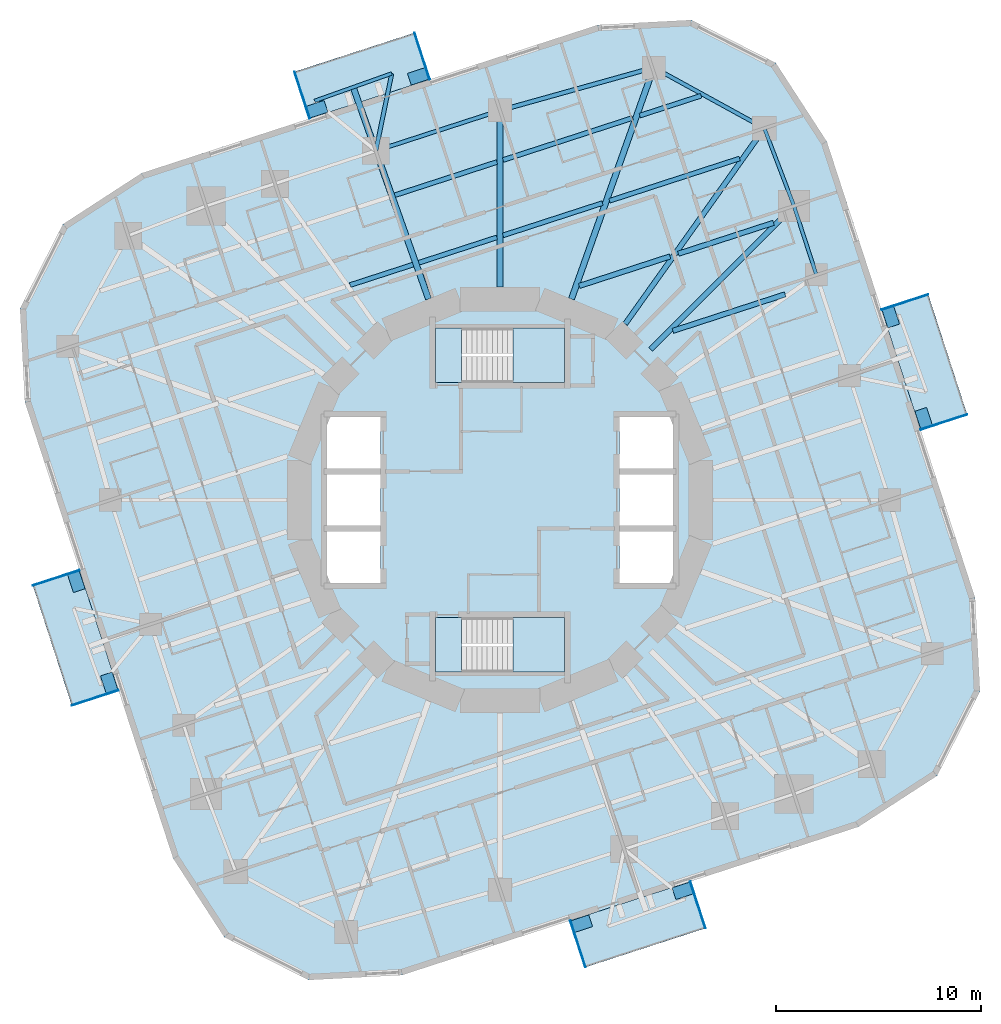
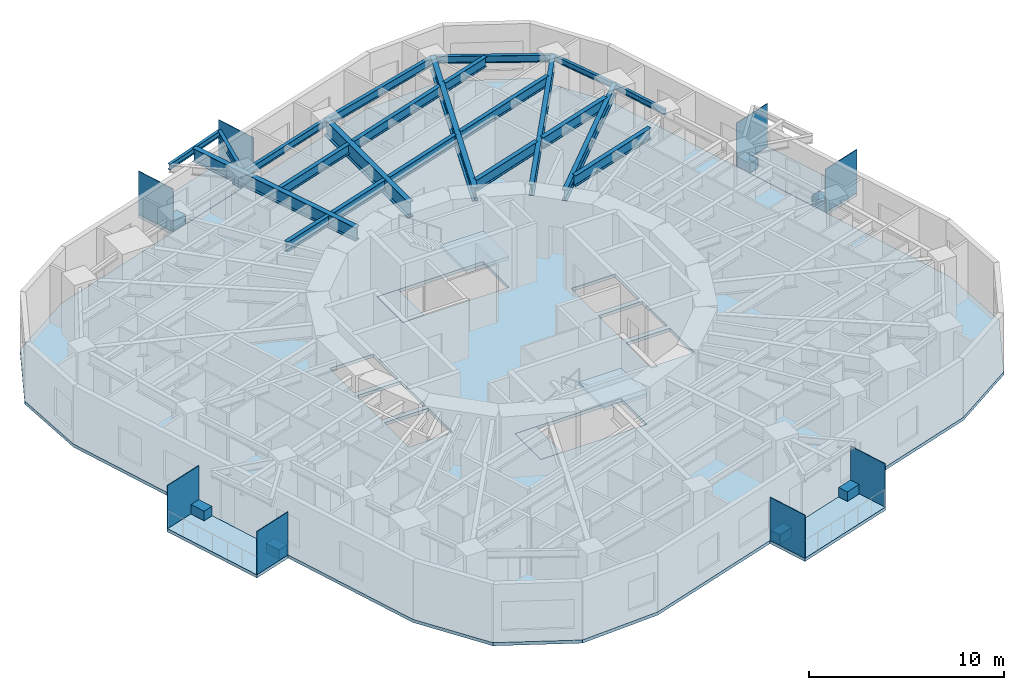
# One storey, part 3 of 12: 22 beams, 16 plates, 9 slabs, 2 elements without a shape of their own.
"""IFC4 building model written with IfcOpenShell, lengths in metres."""

import ifcopenshell
import ifcopenshell.guid

model = None  # the IFC model being written
_history = None  # IfcOwnerHistory: only IFC2X3 demands one
_inside = {}  # id of a spatial element -> (the spatial element, [elements in it])
_under = {}  # id of a project, library or spatial element -> (it, [spatial elements below it])
_declared = {}  # id of a project -> (the project, [libraries it declares])
_typed = {}  # id of a type object -> (the type object, [elements of that type])
_made_of = {}  # id of a material, layer set ... -> (it, [elements and type objects made of it])


def new_model(schema):
    """Start an empty IFC model of exactly this schema.

    Asked for "IFC4X3", IfcOpenShell would pick the latest addendum, in which some entities
    have other attributes; the version numbers below select the first issue.
    IFC2X3 requires an IfcOwnerHistory on every rooted entity: one is made here for all.
    """
    global model, _history
    if schema == "IFC4X3":
        model = ifcopenshell.file(schema_version=(4, 3, 0, 0))
    else:
        model = ifcopenshell.file(schema=schema)
    _inside.clear()
    _under.clear()
    _declared.clear()
    _typed.clear()
    _made_of.clear()
    _history = None
    if model.schema == "IFC2X3":
        org = make("IfcOrganization", Name="unknown")
        user = make(
            "IfcPersonAndOrganization",
            ThePerson=make("IfcPerson", FamilyName="unknown"),
            TheOrganization=org,
        )
        app = make(
            "IfcApplication",
            ApplicationDeveloper=org,
            Version="unknown",
            ApplicationFullName="unknown",
            ApplicationIdentifier="unknown",
        )
        _history = make(
            "IfcOwnerHistory",
            OwningUser=user,
            OwningApplication=app,
            ChangeAction="ADDED",
            CreationDate=0,
        )
    return model


def make(cls, **values):
    """One entity of the class cls with the attributes given. An attribute that is None is left unset."""
    return model.create_entity(
        cls, **{name: value for name, value in values.items() if value is not None}
    )


def rooted(cls, **values):
    """An entity with a GlobalId (a new one), such as an element, a storey or a relation."""
    return make(cls, GlobalId=ifcopenshell.guid.new(), OwnerHistory=_history, **values)


def si_unit(unit_type, name, prefix=None):
    """IfcSIUnit, for example si_unit("LENGTHUNIT", "METRE", prefix="MILLI")."""
    return make("IfcSIUnit", UnitType=unit_type, Prefix=prefix, Name=name)


def assignment(units):
    """IfcUnitAssignment: the units of a project."""
    return None if units is None else make("IfcUnitAssignment", Units=units)


def point(xyz):
    """IfcCartesianPoint."""
    return None if xyz is None else make("IfcCartesianPoint", Coordinates=xyz)


def direction(xyz):
    """IfcDirection."""
    return None if xyz is None else make("IfcDirection", DirectionRatios=xyz)


def frame(location, z_axis=None, x_axis=None):
    """IfcAxis2Placement3D, a coordinate frame: its origin and axes. An axis left out is left unset."""
    return make(
        "IfcAxis2Placement3D",
        Location=point(location),
        Axis=direction(z_axis),
        RefDirection=direction(x_axis),
    )


def frame_2d(location, x_axis=None):
    """IfcAxis2Placement2D, a coordinate frame in the plane: its origin and x axis."""
    return make(
        "IfcAxis2Placement2D", Location=point(location), RefDirection=direction(x_axis)
    )


def origin():
    """The frame at (0, 0, 0) with its axes left unset."""
    return frame((0.0, 0.0, 0.0))


def origin_2d():
    """The frame at (0, 0) in the plane with its x axis left unset."""
    return frame_2d((0.0, 0.0))


def place(relative_to, where):
    """IfcLocalPlacement: puts the frame where relative to a parent placement (None: the world)."""
    return make(
        "IfcLocalPlacement", PlacementRelTo=relative_to, RelativePlacement=where
    )


def context(
    kind, dimensions, precision=None, world=None, true_north=None, identifier=None
):
    """IfcGeometricRepresentationContext, for example the 3D "Model" context."""
    return make(
        "IfcGeometricRepresentationContext",
        ContextIdentifier=identifier,
        ContextType=kind,
        CoordinateSpaceDimension=dimensions,
        Precision=precision,
        WorldCoordinateSystem=world,
        TrueNorth=true_north,
    )


def subcontext(parent, identifier, kind, view, scale=None):
    """IfcGeometricRepresentationSubContext, for example "Body" below "Model"."""
    return make(
        "IfcGeometricRepresentationSubContext",
        ContextIdentifier=identifier,
        ContextType=kind,
        ParentContext=parent,
        TargetScale=scale,
        TargetView=view,
    )


def project(units=None, contexts=None):
    """IfcProject with its units and contexts."""
    return rooted(
        "IfcProject",
        Name="project",
        RepresentationContexts=contexts,
        UnitsInContext=assignment(units),
    )


def spatial(cls, under=None, at=None, **own):
    """A site, building, storey or space (cls), placed at a placement, below another one or the project."""
    s = rooted(cls, ObjectPlacement=at, **own)
    if under is not None:
        _under.setdefault(under.id(), (under, []))[1].append(s)
    return s


def polyline(points):
    """IfcPolyline through the points."""
    return make("IfcPolyline", Points=[point(p) for p in points])


def profile(cls, at=None, kind="AREA", **sizes):
    """A parametric profile (cls). Its sizes go by their IFC names, for example OverallWidth=200.0."""
    return make(cls, ProfileType=kind, Position=at, **sizes)


def rectangle(**sizes):
    """IfcRectangleProfileDef."""
    return profile("IfcRectangleProfileDef", **sizes)


def i_section(**sizes):
    """IfcIShapeProfileDef."""
    return profile("IfcIShapeProfileDef", **sizes)


def outline(outer, holes=None, kind="AREA"):
    """IfcArbitraryClosedProfileDef: a profile drawn as a closed curve; with holes, ...WithVoids."""
    if holes is None:
        return make("IfcArbitraryClosedProfileDef", ProfileType=kind, OuterCurve=outer)
    return make(
        "IfcArbitraryProfileDefWithVoids",
        ProfileType=kind,
        OuterCurve=outer,
        InnerCurves=holes,
    )


def extrude(swept, where, along, depth):
    """IfcExtrudedAreaSolid: the profile swept, set in the frame where, extruded along a direction by depth."""
    return make(
        "IfcExtrudedAreaSolid",
        SweptArea=swept,
        Position=where,
        ExtrudedDirection=direction(along),
        Depth=depth,
    )


def shape(context_of_items, identifier, shape_type, items):
    """IfcShapeRepresentation: the items that make up one representation, for example the "Body"."""
    return make(
        "IfcShapeRepresentation",
        ContextOfItems=context_of_items,
        RepresentationIdentifier=identifier,
        RepresentationType=shape_type,
        Items=items,
    )


def material(Name=None, Category=None):
    """IfcMaterial."""
    return make("IfcMaterial", Name=Name, Category=Category)


def layer(
    of_material, thickness, ventilated=None, Name=None, Category=None, Priority=None
):
    """IfcMaterialLayer: one layer of a wall or slab, of a material (None: an air gap)."""
    return make(
        "IfcMaterialLayer",
        Material=of_material,
        LayerThickness=thickness,
        IsVentilated=ventilated,
        Name=Name,
        Category=Category,
        Priority=Priority,
    )


def layer_set(layers, Name=None):
    """IfcMaterialLayerSet."""
    return make("IfcMaterialLayerSet", MaterialLayers=layers, LayerSetName=Name)


def material_profile(
    of_material, cross_section, Name=None, Category=None, Priority=None
):
    """IfcMaterialProfile: a cross section and its material."""
    return make(
        "IfcMaterialProfile",
        Name=Name,
        Material=of_material,
        Profile=cross_section,
        Priority=Priority,
        Category=Category,
    )


def profile_set(profiles, Name=None, composite=None):
    """IfcMaterialProfileSet."""
    return make(
        "IfcMaterialProfileSet",
        Name=Name,
        MaterialProfiles=profiles,
        CompositeProfile=composite,
    )


def made_of(thing, what):
    """Note that an element or type object is made of a material, layer set ...; save() writes the relation."""
    if what is not None:
        _made_of.setdefault(what.id(), (what, []))[1].append(thing)
    return thing


def type_object(cls, material=None, **own):
    """A type object (cls), such as IfcWallType, which elements share."""
    return made_of(rooted(cls, **own), material)


def element(
    cls,
    number,
    at=None,
    inside=None,
    cuts=None,
    type_object=None,
    material=None,
    context=None,
    identifier="Body",
    shape_type=None,
    held_by="IfcProductDefinitionShape",
    body=None,
    shapes=None,
    **own,
):
    """One element of the class cls, such as IfcWall. Its Tag is "e" and its number.

    at: its placement. inside: the storey or other place that contains it. cuts: it is an
    opening in that element (IfcRelVoidsElement). A single representation is given by context,
    identifier, shape_type and body (its items); several are given by shapes. held_by: the class
    of the entity that holds the representations. save() writes the other relations.
    """
    e = rooted(cls, Tag="e%d" % number, ObjectPlacement=at, **own)
    if body is not None:
        shapes = [shape(context, identifier, shape_type, body)]
    if shapes is not None:
        e.Representation = make(held_by, Representations=shapes)
    if inside is not None:
        _inside.setdefault(inside.id(), (inside, []))[1].append(e)
    if cuts is not None:
        rooted(
            "IfcRelVoidsElement", RelatingBuildingElement=cuts, RelatedOpeningElement=e
        )
    if type_object is not None:
        _typed.setdefault(type_object.id(), (type_object, []))[1].append(e)
    return made_of(e, material)


def aggregate(whole, parts):
    """IfcRelAggregates: a whole, such as a stair, and the parts it consists of."""
    return rooted("IfcRelAggregates", RelatingObject=whole, RelatedObjects=parts)


def save(model, path):
    """Write the relations noted so far, then the file.

    IfcRelAggregates (storeys below a building ...), IfcRelContainedInSpatialStructure (elements
    in a storey), IfcRelDefinesByType, IfcRelAssociatesMaterial and IfcRelDeclares: one each for
    every whole, place, type object, material and project.
    """
    for whole, parts in _under.values():
        aggregate(whole, parts)
    for where, things in _inside.values():
        rooted(
            "IfcRelContainedInSpatialStructure",
            RelatedElements=things,
            RelatingStructure=where,
        )
    for kind, things in _typed.values():
        rooted("IfcRelDefinesByType", RelatedObjects=things, RelatingType=kind)
    for what, things in _made_of.values():
        rooted("IfcRelAssociatesMaterial", RelatedObjects=things, RelatingMaterial=what)
    for by, libraries in _declared.values():
        rooted("IfcRelDeclares", RelatingContext=by, RelatedDefinitions=libraries)
    model.write(path)


model = new_model("IFC4")

# Units and contexts
model_context = context("Model", 3, precision=1e-05, world=origin(), true_north=direction((0.0, 1.0)))
body_context = subcontext(model_context, "Body", "Model", "MODEL_VIEW")
ifc_project = project(units=[si_unit("LENGTHUNIT", "METRE"), si_unit("AREAUNIT", "SQUARE_METRE"), si_unit("VOLUMEUNIT", "CUBIC_METRE"), si_unit("PLANEANGLEUNIT", "RADIAN"), si_unit("MASSUNIT", "GRAM", prefix="KILO")], contexts=[model_context])

# Site, building, storey
site_placement = place(None, origin())
site = spatial("IfcSite", under=ifc_project, at=site_placement, CompositionType="ELEMENT")
building_placement = place(site_placement, origin())
building = spatial("IfcBuilding", under=site, at=building_placement, Name="Nakasero Lantern House", CompositionType="ELEMENT")
storey_placement = place(building_placement, frame((0.0, 0.0, 168.75)))
storey = spatial("IfcBuildingStorey", under=building, at=storey_placement, Name="L41", CompositionType="ELEMENT", Elevation=168.75)

# Beams
ifc_material_1 = material(Name="Steel S355", Category="steel")
ifc_material_profile_1 = material_profile(ifc_material_1, i_section(OverallWidth=0.199462890625, OverallDepth=0.491943359375, WebThickness=0.01806640625, FlangeThickness=0.031982421875, FilletRadius=0.01025390625, at=origin_2d()), Name="UB 457x191x161")
ifc_profile_set_1 = profile_set([ifc_material_profile_1], Name="Steel S355")
beam_type_1 = type_object("IfcBeamType", Name="Balcony splay beam UB 457x191x161", PredefinedType="BEAM", material=ifc_profile_set_1)
beam_1_placement = place(storey_placement, frame((-6.06591796875, 17.060546875, 3.404052734375), z_axis=(0.201831438605, 0.979420272605, 0.0), x_axis=(-0.979420272605, 0.201831438605, 0.0)))
element("IfcBeam", 1, at=beam_1_placement, inside=storey, type_object=beam_type_1, Name="Balcony splay beam L42 B4-C10B", PredefinedType="BEAM", context=body_context, shape_type="SweptSolid", body=[
    extrude(i_section(OverallWidth=0.199462890625, OverallDepth=0.491943359375, WebThickness=0.01806640625, FlangeThickness=0.031982421875, FilletRadius=0.01025390625, at=origin_2d()), origin(), (0.0, 0.0, 1.0), 3.858642578125),
])
ifc_material_2 = material(Name="Steel S355", Category="steel")
ifc_material_profile_2 = material_profile(ifc_material_2, i_section(OverallWidth=0.17138671875, OverallDepth=0.35498046875, WebThickness=0.00732421875, FlangeThickness=0.011474609375, FilletRadius=0.01025390625, at=origin_2d()), Name="UB 356x171x51")
ifc_profile_set_2 = profile_set([ifc_material_profile_2], Name="Steel S355")
beam_type_2 = type_object("IfcBeamType", Name="Balcony tie beam UB 356x171x51", PredefinedType="BEAM", material=ifc_profile_set_2)
beam_2_placement = place(storey_placement, frame((-9.055908203125, 19.499755859375, 3.472412109375), z_axis=(0.942209124415, 0.335025321236, 0.0), x_axis=(-0.335025321236, 0.942209124415, 0.0)))
element("IfcBeam", 2, at=beam_2_placement, inside=storey, type_object=beam_type_2, Name="Balcony tie beam L42 B4-C10", PredefinedType="BEAM", context=body_context, shape_type="SweptSolid", body=[
    extrude(i_section(OverallWidth=0.17138671875, OverallDepth=0.35498046875, WebThickness=0.00732421875, FlangeThickness=0.011474609375, FilletRadius=0.01025390625, at=origin_2d()), origin(), (0.0, 0.0, 1.0), 4.0),
])
ifc_material_3 = material(Name="Steel S355", Category="steel")
ifc_material_profile_3 = material_profile(ifc_material_3, i_section(OverallWidth=0.22900390625, OverallDepth=0.6123046875, WebThickness=0.011962890625, FlangeThickness=0.01953125, FilletRadius=0.0126953125, at=origin_2d()), Name="UB 610x229x125")
ifc_profile_set_3 = profile_set([ifc_material_profile_3], Name="Steel S355")
beam_type_3 = type_object("IfcBeamType", Name="Infill beam UB 610x229x125", PredefinedType="JOIST", material=ifc_profile_set_3)
beam_3_placement = place(storey_placement, frame((-7.326171875, 10.5, 3.343994140625), z_axis=(0.951059536905, 0.309007697738, 0.0), x_axis=(-0.309007697738, 0.951059536905, 0.0)))
element("IfcBeam", 3, at=beam_3_placement, inside=storey, type_object=beam_type_3, Name="Infill beam L42 11.5", PredefinedType="JOIST", context=body_context, shape_type="SweptSolid", body=[
    extrude(i_section(OverallWidth=0.22900390625, OverallDepth=0.6123046875, WebThickness=0.011962890625, FlangeThickness=0.01953125, FilletRadius=0.0126953125, at=origin_2d()), origin(), (0.0, 0.0, 1.0), 3.240234375),
])
beam_4_placement = place(storey_placement, frame((-3.96630859375, 11.591796875, 3.343994140625), z_axis=(0.95105910343, 0.309009031878, 0.0), x_axis=(-0.309009031878, 0.95105910343, 0.0)))
element("IfcBeam", 4, at=beam_4_placement, inside=storey, type_object=beam_type_3, Name="Infill beam L42 11.6", PredefinedType="JOIST", context=body_context, shape_type="SweptSolid", body=[
    extrude(i_section(OverallWidth=0.22900390625, OverallDepth=0.6123046875, WebThickness=0.011962890625, FlangeThickness=0.01953125, FilletRadius=0.0126953125, at=origin_2d()), origin(), (0.0, 0.0, 1.0), 4.0126953125),
])
beam_5_placement = place(storey_placement, frame((0.14990234375, 12.92919921875, 3.343994140625), z_axis=(0.951057977144, 0.309012498309, 0.0), x_axis=(-0.309012498309, 0.951057977144, 0.0)))
element("IfcBeam", 5, at=beam_5_placement, inside=storey, type_object=beam_type_3, Name="Infill beam L42 11.7", PredefinedType="JOIST", context=body_context, shape_type="SweptSolid", body=[
    extrude(i_section(OverallWidth=0.22900390625, OverallDepth=0.6123046875, WebThickness=0.011962890625, FlangeThickness=0.01953125, FilletRadius=0.0126953125, at=origin_2d()), origin(), (0.0, 0.0, 1.0), 5.102294921875),
])
beam_6_placement = place(storey_placement, frame((5.353271484375, 14.619873046875, 3.343994140625), z_axis=(0.951056080098, 0.30901833685, 0.0), x_axis=(-0.30901833685, 0.951056080098, 0.0)))
element("IfcBeam", 6, at=beam_6_placement, inside=storey, type_object=beam_type_3, Name="Infill beam L42 11.8", PredefinedType="JOIST", context=body_context, shape_type="SweptSolid", body=[
    extrude(i_section(OverallWidth=0.22900390625, OverallDepth=0.6123046875, WebThickness=0.011962890625, FlangeThickness=0.01953125, FilletRadius=0.0126953125, at=origin_2d()), origin(), (0.0, 0.0, 1.0), 6.68310546875),
])
beam_7_placement = place(storey_placement, frame((-5.139404296875, 14.890625, 3.343994140625), z_axis=(0.951061765699, 0.309000837904, 0.0), x_axis=(-0.309000837904, 0.951061765699, 0.0)))
element("IfcBeam", 7, at=beam_7_placement, inside=storey, type_object=beam_type_3, Name="Infill beam L42 12.5", PredefinedType="JOIST", context=body_context, shape_type="SweptSolid", body=[
    extrude(i_section(OverallWidth=0.22900390625, OverallDepth=0.6123046875, WebThickness=0.011962890625, FlangeThickness=0.01953125, FilletRadius=0.0126953125, at=origin_2d()), origin(), (0.0, 0.0, 1.0), 5.246337890625),
])
beam_8_placement = place(storey_placement, frame((0.14990234375, 16.609375, 3.343994140625), z_axis=(0.951068556075, 0.308979937287, 0.0), x_axis=(-0.308979937287, 0.951068556075, 0.0)))
element("IfcBeam", 8, at=beam_8_placement, inside=storey, type_object=beam_type_3, Name="Infill beam L42 12.6", PredefinedType="JOIST", context=body_context, shape_type="SweptSolid", body=[
    extrude(i_section(OverallWidth=0.22900390625, OverallDepth=0.6123046875, WebThickness=0.011962890625, FlangeThickness=0.01953125, FilletRadius=0.0126953125, at=origin_2d()), origin(), (0.0, 0.0, 1.0), 6.65771484375),
])
beam_9_placement = place(storey_placement, frame((6.832763671875, 18.780517578125, 3.343994140625), z_axis=(0.951054602662, 0.309022883872, 0.0), x_axis=(-0.309022883872, 0.951054602662, 0.0)))
element("IfcBeam", 9, at=beam_9_placement, inside=storey, type_object=beam_type_3, Name="Infill beam L42 12.7", PredefinedType="JOIST", context=body_context, shape_type="SweptSolid", body=[
    extrude(i_section(OverallWidth=0.22900390625, OverallDepth=0.6123046875, WebThickness=0.011962890625, FlangeThickness=0.01953125, FilletRadius=0.0126953125, at=origin_2d()), origin(), (0.0, 0.0, 1.0), 3.145263671875),
])
ifc_material_4 = material(Name="Steel S355", Category="steel")
ifc_material_profile_4 = material_profile(ifc_material_4, i_section(OverallWidth=0.253662109375, OverallDepth=0.68359375, WebThickness=0.012451171875, FlangeThickness=0.01904296875, FilletRadius=0.01513671875, at=origin_2d()), Name="UB 686x254x140")
ifc_profile_set_4 = profile_set([ifc_material_profile_4], Name="Steel S355")
beam_type_4 = type_object("IfcBeamType", Name="Infill beam UB 686x254x140", PredefinedType="JOIST", material=ifc_profile_set_4)
beam_10_placement = place(storey_placement, frame((8.44287109375, 8.263427734375, 3.308349609375), z_axis=(0.951055211673, 0.309021009559, 0.0), x_axis=(-0.309021009559, 0.951055211673, 0.0)))
element("IfcBeam", 10, at=beam_10_placement, inside=storey, type_object=beam_type_4, Name="Infill beam L42 09.2", PredefinedType="JOIST", context=body_context, shape_type="SweptSolid", body=[
    extrude(i_section(OverallWidth=0.253662109375, OverallDepth=0.68359375, WebThickness=0.012451171875, FlangeThickness=0.01904296875, FilletRadius=0.01513671875, at=origin_2d()), origin(), (0.0, 0.0, 1.0), 5.769775390625),
])
beam_11_placement = place(storey_placement, frame((3.8740234375, 10.458984375, 3.308349609375), z_axis=(0.95106063111, 0.309004329989, 0.0), x_axis=(-0.309004329989, 0.95106063111, 0.0)))
element("IfcBeam", 11, at=beam_11_placement, inside=storey, type_object=beam_type_4, Name="Infill beam L42 10.3", PredefinedType="JOIST", context=body_context, shape_type="SweptSolid", body=[
    extrude(i_section(OverallWidth=0.253662109375, OverallDepth=0.68359375, WebThickness=0.012451171875, FlangeThickness=0.01904296875, FilletRadius=0.01513671875, at=origin_2d()), origin(), (0.0, 0.0, 1.0), 4.659912109375),
])
beam_12_placement = place(storey_placement, frame((8.710693359375, 12.030517578125, 3.308349609375), z_axis=(0.951061574069, 0.309001427713, 0.0), x_axis=(-0.309001427713, 0.951061574069, 0.0)))
element("IfcBeam", 12, at=beam_12_placement, inside=storey, type_object=beam_type_4, Name="Infill beam L42 10.4", PredefinedType="JOIST", context=body_context, shape_type="SweptSolid", body=[
    extrude(i_section(OverallWidth=0.253662109375, OverallDepth=0.68359375, WebThickness=0.012451171875, FlangeThickness=0.01904296875, FilletRadius=0.01513671875, at=origin_2d()), origin(), (0.0, 0.0, 1.0), 4.8916015625),
])
ifc_material_5 = material(Name="Steel S355", Category="steel")
ifc_material_profile_5 = material_profile(ifc_material_5, i_section(OverallWidth=0.300048828125, OverallDepth=0.989990234375, WebThickness=0.0166015625, FlangeThickness=0.031005859375, FilletRadius=0.030029296875, at=origin_2d()), Name="UB 1016x305x272")
ifc_profile_set_5 = profile_set([ifc_material_profile_5], Name="Steel S355")
beam_type_5 = type_object("IfcBeamType", Name="Primary beam UB 1016x305x272, span 6 to 9 m", PredefinedType="BEAM", material=ifc_profile_set_5)
beam_13_placement = place(storey_placement, frame((0.0, 19.031494140625, 3.155029296875), z_axis=(0.0, -1.0, 0.0), x_axis=(1.0, 0.0, 0.0)))
element("IfcBeam", 13, at=beam_13_placement, inside=storey, type_object=beam_type_5, Name="Primary beam L42 B4-C09", PredefinedType="BEAM", context=body_context, shape_type="SweptSolid", body=[
    extrude(i_section(OverallWidth=0.300048828125, OverallDepth=0.989990234375, WebThickness=0.0166015625, FlangeThickness=0.031005859375, FilletRadius=0.030029296875, at=origin_2d()), origin(), (0.0, 0.0, 1.0), 8.62353515625),
])
ifc_material_6 = material(Name="Steel S355", Category="steel")
ifc_material_profile_6 = material_profile(ifc_material_6, i_section(OverallWidth=0.253662109375, OverallDepth=0.68359375, WebThickness=0.012451171875, FlangeThickness=0.01904296875, FilletRadius=0.01513671875, at=origin_2d()), Name="UB 686x254x140")
ifc_profile_set_6 = profile_set([ifc_material_profile_6], Name="Steel S355")
beam_type_6 = type_object("IfcBeamType", Name="Primary beam UB 686x254x140, span 9 to 12 m", PredefinedType="BEAM", material=ifc_profile_set_6)
beam_14_placement = place(storey_placement, frame((14.3642578125, 14.3642578125, 3.308349609375), z_axis=(-0.707106781187, -0.707106781187, 0.0), x_axis=(0.707106781187, -0.707106781187, 0.0)))
element("IfcBeam", 14, at=beam_14_placement, inside=storey, type_object=beam_type_6, Name="Primary beam L42 B4-C06", PredefinedType="BEAM", context=body_context, shape_type="SweptSolid", body=[
    extrude(i_section(OverallWidth=0.253662109375, OverallDepth=0.68359375, WebThickness=0.012451171875, FlangeThickness=0.01904296875, FilletRadius=0.01513671875, at=origin_2d()), origin(), (0.0, 0.0, 1.0), 9.906494140625),
])
beam_15_placement = place(storey_placement, frame((12.916015625, 18.1630859375, 3.308349609375), z_axis=(-0.579530236062, -0.814950738075, 0.0), x_axis=(0.814950738075, -0.579530236062, 0.0)))
element("IfcBeam", 15, at=beam_15_placement, inside=storey, type_object=beam_type_6, Name="Primary beam L42 B4-C07", PredefinedType="BEAM", context=body_context, shape_type="SweptSolid", body=[
    extrude(i_section(OverallWidth=0.253662109375, OverallDepth=0.68359375, WebThickness=0.012451171875, FlangeThickness=0.01904296875, FilletRadius=0.01513671875, at=origin_2d()), origin(), (0.0, 0.0, 1.0), 11.73193359375),
])
ifc_material_7 = material(Name="Steel S355", Category="steel")
ifc_material_profile_7 = material_profile(ifc_material_7, i_section(OverallWidth=0.29248046875, OverallDepth=0.8408203125, WebThickness=0.0146484375, FlangeThickness=0.02685546875, FilletRadius=0.017822265625, at=origin_2d()), Name="UB 838x292x194")
ifc_profile_set_7 = profile_set([ifc_material_profile_7], Name="Steel S355")
beam_type_7 = type_object("IfcBeamType", Name="Primary beam UB 838x292x194, span 12 to 15 m", PredefinedType="BEAM", material=ifc_profile_set_7)
beam_16_placement = place(storey_placement, frame((7.5126953125, 21.129638671875, 3.229736328125), z_axis=(-0.335012877559, -0.942213548974, 0.0), x_axis=(0.942213548974, -0.335012877559, 0.0)))
element("IfcBeam", 16, at=beam_16_placement, inside=storey, type_object=beam_type_7, Name="Primary beam L42 B4-C08", PredefinedType="BEAM", context=body_context, shape_type="SweptSolid", body=[
    extrude(i_section(OverallWidth=0.29248046875, OverallDepth=0.8408203125, WebThickness=0.0146484375, FlangeThickness=0.02685546875, FilletRadius=0.017822265625, at=origin_2d()), origin(), (0.0, 0.0, 1.0), 12.00390625),
])
ifc_material_8 = material(Name="Steel S355", Category="steel")
ifc_material_profile_8 = material_profile(ifc_material_8, i_section(OverallWidth=0.29248046875, OverallDepth=0.8408203125, WebThickness=0.0146484375, FlangeThickness=0.02685546875, FilletRadius=0.017822265625, at=origin_2d()), Name="UB 838x292x194")
ifc_profile_set_8 = profile_set([ifc_material_profile_8], Name="Steel S355")
beam_type_8 = type_object("IfcBeamType", Name="Primary beam UB 838x292x194, span 6 to 9 m", PredefinedType="BEAM", material=ifc_profile_set_8)
beam_17_placement = place(storey_placement, frame((-7.17138671875, 20.169921875, 3.229736328125), z_axis=(0.335007036998, -0.942215625619, 0.0), x_axis=(0.942215625619, 0.335007036998, 0.0)))
element("IfcBeam", 17, at=beam_17_placement, inside=storey, type_object=beam_type_8, Name="Primary beam L42 B4-C10", PredefinedType="BEAM", context=body_context, shape_type="SweptSolid", body=[
    extrude(i_section(OverallWidth=0.29248046875, OverallDepth=0.8408203125, WebThickness=0.0146484375, FlangeThickness=0.02685546875, FilletRadius=0.017822265625, at=origin_2d()), origin(), (0.0, 0.0, 1.0), 10.9853515625),
])
ifc_material_9 = material(Name="Steel S355", Category="steel")
ifc_material_profile_9 = material_profile(ifc_material_9, i_section(OverallWidth=0.17138671875, OverallDepth=0.35498046875, WebThickness=0.00732421875, FlangeThickness=0.011474609375, FilletRadius=0.01025390625, at=origin_2d()), Name="UB 356x171x51")
ifc_profile_set_9 = profile_set([ifc_material_profile_9], Name="Steel S355")
beam_type_9 = type_object("IfcBeamType", Name="Ring beam UB 356x171x51", PredefinedType="BEAM", material=ifc_profile_set_9)
beam_18_placement = place(storey_placement, frame((15.45947265625, 10.993408203125, 3.472412109375), z_axis=(-0.309006636447, 0.951059881727, 0.0), x_axis=(-0.951059881727, -0.309006636447, 0.0)))
element("IfcBeam", 18, at=beam_18_placement, inside=storey, type_object=beam_type_9, Name="Ring beam L42 B4-C05", PredefinedType="BEAM", context=body_context, shape_type="SweptSolid", body=[
    extrude(i_section(OverallWidth=0.17138671875, OverallDepth=0.35498046875, WebThickness=0.00732421875, FlangeThickness=0.011474609375, FilletRadius=0.01025390625, at=origin_2d()), origin(), (0.0, 0.0, 1.0), 3.544189453125),
])
beam_19_placement = place(storey_placement, frame((14.3642578125, 14.3642578125, 3.472412109375), z_axis=(-0.35622505813, 0.934400186194, 0.0), x_axis=(-0.934400186194, -0.35622505813, 0.0)))
element("IfcBeam", 19, at=beam_19_placement, inside=storey, type_object=beam_type_9, Name="Ring beam L42 B4-C06", PredefinedType="BEAM", context=body_context, shape_type="SweptSolid", body=[
    extrude(i_section(OverallWidth=0.17138671875, OverallDepth=0.35498046875, WebThickness=0.00732421875, FlangeThickness=0.011474609375, FilletRadius=0.01025390625, at=origin_2d()), origin(), (0.0, 0.0, 1.0), 4.0654296875),
])
ifc_material_10 = material(Name="Steel S355", Category="steel")
ifc_material_profile_10 = material_profile(ifc_material_10, i_section(OverallWidth=0.18994140625, OverallDepth=0.453369140625, WebThickness=0.008544921875, FlangeThickness=0.0126953125, FilletRadius=0.01025390625, at=origin_2d()), Name="UB 457x191x67")
ifc_profile_set_10 = profile_set([ifc_material_profile_10], Name="Steel S355")
beam_type_10 = type_object("IfcBeamType", Name="Ring beam UB 457x191x67", PredefinedType="BEAM", material=ifc_profile_set_10)
beam_20_placement = place(storey_placement, frame((12.916015625, 18.1630859375, 3.42333984375), z_axis=(-0.876576912681, 0.481261795861, 0.0), x_axis=(-0.481261795861, -0.876576912681, 0.0)))
element("IfcBeam", 20, at=beam_20_placement, inside=storey, type_object=beam_type_10, Name="Ring beam L42 B4-C07", PredefinedType="BEAM", context=body_context, shape_type="SweptSolid", body=[
    extrude(i_section(OverallWidth=0.18994140625, OverallDepth=0.453369140625, WebThickness=0.008544921875, FlangeThickness=0.0126953125, FilletRadius=0.01025390625, at=origin_2d()), origin(), (0.0, 0.0, 1.0), 6.1640625),
])
ifc_material_11 = material(Name="Steel S355", Category="steel")
ifc_material_profile_11 = material_profile(ifc_material_11, i_section(OverallWidth=0.19140625, OverallDepth=0.4599609375, WebThickness=0.010009765625, FlangeThickness=0.01611328125, FilletRadius=0.01025390625, at=origin_2d()), Name="UB 457x191x82")
ifc_profile_set_11 = profile_set([ifc_material_profile_11], Name="Steel S355")
beam_type_11 = type_object("IfcBeamType", Name="Ring beam UB 457x191x82", PredefinedType="BEAM", material=ifc_profile_set_11)
beam_21_placement = place(storey_placement, frame((0.0, 19.031494140625, 3.419921875), z_axis=(-0.951056007502, -0.309018560274, 0.0), x_axis=(0.309018560274, -0.951056007502, 0.0)))
element("IfcBeam", 21, at=beam_21_placement, inside=storey, type_object=beam_type_11, Name="Ring beam L42 B4-C09", PredefinedType="BEAM", context=body_context, shape_type="SweptSolid", body=[
    extrude(i_section(OverallWidth=0.19140625, OverallDepth=0.4599609375, WebThickness=0.010009765625, FlangeThickness=0.01611328125, FilletRadius=0.01025390625, at=origin_2d()), origin(), (0.0, 0.0, 1.0), 6.378173828125),
])
ifc_material_12 = material(Name="Steel S355", Category="steel")
ifc_material_profile_12 = material_profile(ifc_material_12, i_section(OverallWidth=0.208740234375, OverallDepth=0.5283203125, WebThickness=0.009521484375, FlangeThickness=0.01318359375, FilletRadius=0.0126953125, at=origin_2d()), Name="UB 533x210x82")
ifc_profile_set_12 = profile_set([ifc_material_profile_12], Name="Steel S355")
beam_type_12 = type_object("IfcBeamType", Name="Ring beam UB 533x210x82", PredefinedType="BEAM", material=ifc_profile_set_12)
beam_22_placement = place(storey_placement, frame((7.5126953125, 21.129638671875, 3.3857421875), z_axis=(-0.963143892339, -0.268986696047, 0.0), x_axis=(0.268986696047, -0.963143892339, 0.0)))
element("IfcBeam", 22, at=beam_22_placement, inside=storey, type_object=beam_type_12, Name="Ring beam L42 B4-C08", PredefinedType="BEAM", context=body_context, shape_type="SweptSolid", body=[
    extrude(i_section(OverallWidth=0.208740234375, OverallDepth=0.5283203125, WebThickness=0.009521484375, FlangeThickness=0.01318359375, FilletRadius=0.0126953125, at=origin_2d()), origin(), (0.0, 0.0, 1.0), 7.80029296875),
])

# Plates
ifc_material_13 = material(Name="Aluminium 6063-T6", Category="aluminium")
ifc_layer_1 = layer(ifc_material_13, 0.60009765625)
ifc_layer_set_1 = layer_set([ifc_layer_1], Name="Balcony planter 600x900")
plate_type_1 = type_object("IfcPlateType", Name="Balcony planter 600x900", PredefinedType="USERDEFINED", material=ifc_layer_set_1)
for number, where, z_axis, x_axis, name in (
    (23, (20.696533203125, 4.00146484375, 0.0), (0.0, 0.0, 1.0), (0.951056516295, 0.309016994375, 0.0), "Balcony PLANTER L41 BAL0A"),
    (24, (19.095703125, 8.927978515625, 0.0), (0.0, 0.0, 1.0), (0.951056516295, 0.309016994375, 0.0), "Balcony PLANTER L41 BAL0B"),
    (25, (-4.00146484375, 20.696533203125, 0.0), (0.0, 0.0, 1.0), (-0.309016994375, 0.951056516295, 0.0), "Balcony PLANTER L41 BAL1A"),
    (26, (-8.927978515625, 19.095703125, 0.0), (0.0, 0.0, 1.0), (-0.309016994375, 0.951056516295, 0.0), "Balcony PLANTER L41 BAL1B"),
    (27, (-20.696533203125, -4.00146484375, 0.0), (0.0, 0.0, 1.0), (-0.951056516295, -0.309016994375, 0.0), "Balcony PLANTER L41 BAL2A"),
    (28, (-19.095703125, -8.927978515625, 0.0), (0.0, 0.0, 1.0), (-0.951056516295, -0.309016994375, 0.0), "Balcony PLANTER L41 BAL2B"),
    (29, (4.00146484375, -20.696533203125, 0.0), (0.0, 0.0, 1.0), (0.309016994375, -0.951056516295, 0.0), "Balcony PLANTER L41 BAL3A"),
    (30, (8.927978515625, -19.095703125, 0.0), (0.0, 0.0, 1.0), (0.309016994375, -0.951056516295, 0.0), "Balcony PLANTER L41 BAL3B"),
):
    element("IfcPlate", number, at=place(storey_placement, frame(where, z_axis=z_axis, x_axis=x_axis)), inside=storey, type_object=plate_type_1, Name=name, ObjectType="PLANTER", PredefinedType="USERDEFINED", context=body_context, shape_type="SweptSolid", body=[
        extrude(rectangle(XDim=0.60009765625, YDim=0.89990234375, at=origin_2d()), origin(), (0.0, 0.0, 1.0), 0.60009765625),
    ])
ifc_material_14 = material(Name="Aluminium 6063-T6", Category="aluminium")
ifc_layer_2 = layer(ifc_material_14, 0.0400390625)
ifc_layer_set_2 = layer_set([ifc_layer_2], Name="Balcony screen 2400x2700")
plate_type_2 = type_object("IfcPlateType", Name="Balcony screen 2400x2700", PredefinedType="SHEET", material=ifc_layer_set_2)
for number, where, z_axis, x_axis, name in (
    (31, (21.684814453125, 3.807373046875, 0.0), (0.0, 0.0, 1.0), (0.951056516295, 0.309016994375, 0.0), "Balcony SCREEN L41 BAL0A"),
    (32, (19.78125, 9.665771484375, 0.0), (0.0, 0.0, 1.0), (0.951056516295, 0.309016994375, 0.0), "Balcony SCREEN L41 BAL0B"),
    (33, (-3.807373046875, 21.684814453125, 0.0), (0.0, 0.0, 1.0), (-0.309016994375, 0.951056516295, 0.0), "Balcony SCREEN L41 BAL1A"),
    (34, (-9.665771484375, 19.78125, 0.0), (0.0, 0.0, 1.0), (-0.309016994375, 0.951056516295, 0.0), "Balcony SCREEN L41 BAL1B"),
    (35, (-21.684814453125, -3.807373046875, 0.0), (0.0, 0.0, 1.0), (-0.951056516295, -0.309016994375, 0.0), "Balcony SCREEN L41 BAL2A"),
    (36, (-19.78125, -9.665771484375, 0.0), (0.0, 0.0, 1.0), (-0.951056516295, -0.309016994375, 0.0), "Balcony SCREEN L41 BAL2B"),
    (37, (3.807373046875, -21.684814453125, 0.0), (0.0, 0.0, 1.0), (0.309016994375, -0.951056516295, 0.0), "Balcony SCREEN L41 BAL3A"),
    (38, (9.665771484375, -19.78125, 0.0), (0.0, 0.0, 1.0), (0.309016994375, -0.951056516295, 0.0), "Balcony SCREEN L41 BAL3B"),
):
    element("IfcPlate", number, at=place(storey_placement, frame(where, z_axis=z_axis, x_axis=x_axis)), inside=storey, type_object=plate_type_2, Name=name, PredefinedType="SHEET", context=body_context, shape_type="SweptSolid", body=[
        extrude(rectangle(XDim=2.39990234375, YDim=0.0400390625, at=origin_2d()), origin(), (0.0, 0.0, 1.0), 2.699951171875),
    ])

# Slabs
ifc_material_15 = material(Name="Concrete C35/45", Category="concrete")
ifc_layer_3 = layer(ifc_material_15, 0.199951171875)
ifc_layer_set_3 = layer_set([ifc_layer_3], Name="Balcony slab 200")
slab_type_1 = type_object("IfcSlabType", Name="Balcony slab 200", PredefinedType="USERDEFINED", material=ifc_layer_set_3)
slab_1_placement = place(storey_placement, frame((0.0, 0.0, -0.199951171875)))
element("IfcSlab", 39, at=slab_1_placement, inside=storey, type_object=slab_type_1, Name="Balcony L41 BAL0", ObjectType="BALCONY", PredefinedType="USERDEFINED", context=body_context, shape_type="SweptSolid", body=[
    extrude(outline(polyline([(20.5498046875, 3.41748046875), (22.832275390625, 4.1591796875), (20.916259765625, 10.0556640625), (18.6337890625, 9.31396484375), (20.5498046875, 3.41748046875)])), origin(), (0.0, 0.0, 1.0), 0.199951171875),
])
slab_2_placement = place(storey_placement, frame((0.0, 0.0, -0.199951171875)))
element("IfcSlab", 40, at=slab_2_placement, inside=storey, type_object=slab_type_1, Name="Balcony L41 BAL1", ObjectType="BALCONY", PredefinedType="USERDEFINED", context=body_context, shape_type="SweptSolid", body=[
    extrude(outline(polyline([(-3.41748046875, 20.5498046875), (-4.1591796875, 22.832275390625), (-10.0556640625, 20.916259765625), (-9.31396484375, 18.6337890625), (-3.41748046875, 20.5498046875)])), origin(), (0.0, 0.0, 1.0), 0.199951171875),
])
slab_3_placement = place(storey_placement, frame((0.0, 0.0, -0.199951171875)))
element("IfcSlab", 41, at=slab_3_placement, inside=storey, type_object=slab_type_1, Name="Balcony L41 BAL2", ObjectType="BALCONY", PredefinedType="USERDEFINED", context=body_context, shape_type="SweptSolid", body=[
    extrude(outline(polyline([(-20.5498046875, -3.41748046875), (-22.832275390625, -4.1591796875), (-20.916259765625, -10.0556640625), (-18.6337890625, -9.31396484375), (-20.5498046875, -3.41748046875)])), origin(), (0.0, 0.0, 1.0), 0.199951171875),
])
slab_4_placement = place(storey_placement, frame((0.0, 0.0, -0.199951171875)))
element("IfcSlab", 42, at=slab_4_placement, inside=storey, type_object=slab_type_1, Name="Balcony L41 BAL3", ObjectType="BALCONY", PredefinedType="USERDEFINED", context=body_context, shape_type="SweptSolid", body=[
    extrude(outline(polyline([(3.41748046875, -20.5498046875), (4.1591796875, -22.832275390625), (10.0556640625, -20.916259765625), (9.31396484375, -18.6337890625), (3.41748046875, -20.5498046875)])), origin(), (0.0, 0.0, 1.0), 0.199951171875),
])
ifc_material_16 = material(Name="Concrete C35/45", Category="concrete")
ifc_layer_4 = layer(ifc_material_16, 0.199951171875)
ifc_layer_set_4 = layer_set([ifc_layer_4], Name="Composite floor slab 200")
slab_type_2 = type_object("IfcSlabType", Name="Composite floor slab 200", PredefinedType="FLOOR", material=ifc_layer_set_4)
slab_5_placement = place(storey_placement, frame((0.0, 0.0, -0.199951171875)))
element("IfcSlab", 43, at=slab_5_placement, inside=storey, type_object=slab_type_2, Name="Floor slab L41", PredefinedType="FLOOR", context=body_context, shape_type="SweptSolid", body=[
    extrude(outline(polyline([(15.976318359375, 17.4931640625), (13.467041015625, 21.35693359375), (9.3623046875, 23.448486328125), (4.76171875, 23.207275390625), (-17.4931640625, 15.976318359375), (-21.35693359375, 13.467041015625), (-23.448486328125, 9.3623046875), (-23.207275390625, 4.76171875), (-15.976318359375, -17.4931640625), (-13.467041015625, -21.35693359375), (-9.3623046875, -23.448486328125), (-4.76171875, -23.207275390625), (17.4931640625, -15.976318359375), (21.35693359375, -13.467041015625), (23.448486328125, -9.3623046875), (23.207275390625, -4.76171875), (15.976318359375, 17.4931640625)]), holes=[polyline([(-8.449951171875, -4.050048828125), (-5.85009765625, -4.050048828125), (-5.85009765625, -1.550048828125), (-8.449951171875, -1.550048828125), (-8.449951171875, -4.050048828125)]), polyline([(-8.449951171875, -1.25), (-5.85009765625, -1.25), (-5.85009765625, 1.25), (-8.449951171875, 1.25), (-8.449951171875, -1.25)]), polyline([(-8.449951171875, 1.550048828125), (-5.85009765625, 1.550048828125), (-5.85009765625, 4.050048828125), (-8.449951171875, 4.050048828125), (-8.449951171875, 1.550048828125)]), polyline([(5.85009765625, -4.050048828125), (8.449951171875, -4.050048828125), (8.449951171875, -1.550048828125), (5.85009765625, -1.550048828125), (5.85009765625, -4.050048828125)]), polyline([(5.85009765625, -1.25), (8.449951171875, -1.25), (8.449951171875, 1.25), (5.85009765625, 1.25), (5.85009765625, -1.25)]), polyline([(5.85009765625, 1.550048828125), (8.449951171875, 1.550048828125), (8.449951171875, 4.050048828125), (5.85009765625, 4.050048828125), (5.85009765625, 1.550048828125)]), polyline([(-3.14990234375, 5.75), (3.14990234375, 5.75), (3.14990234375, 8.39990234375), (-3.14990234375, 8.39990234375), (-3.14990234375, 5.75)]), polyline([(-3.14990234375, -8.39990234375), (3.14990234375, -8.39990234375), (3.14990234375, -5.75), (-3.14990234375, -5.75), (-3.14990234375, -8.39990234375)])]), origin(), (0.0, 0.0, 1.0), 0.199951171875),
])

# Stair, slabs
ifc_material_17 = material(Name="Concrete C40/50", Category="concrete")
stair_type_1 = type_object("IfcStairType", Name="Escape stair ST1 22 risers", PredefinedType="HALF_TURN_STAIR", material=ifc_material_17)
stair_1_placement = place(storey_placement, origin())
stair_1 = element("IfcStair", 44, at=stair_1_placement, inside=storey, type_object=stair_type_1, Name="Escape stair ST1 L41", PredefinedType="HALF_TURN_STAIR")
ifc_material_18 = material(Name="Concrete C40/50", Category="concrete")
ifc_layer_5 = layer(ifc_material_18, 0.199951171875)
ifc_layer_set_5 = layer_set([ifc_layer_5], Name="Stair landing 200")
slab_type_3 = type_object("IfcSlabType", Name="Stair landing 200", PredefinedType="LANDING", material=ifc_layer_set_5)
slab_6_placement = place(storey_placement, frame((0.0, 0.0, -0.199951171875)))
slab_6 = element("IfcSlab", 45, at=slab_6_placement, type_object=slab_type_3, Name="ST1 landing 1", PredefinedType="LANDING", context=body_context, shape_type="SweptSolid", body=[
    extrude(outline(polyline([(-3.14990234375, 5.75), (-1.875, 5.75), (-1.875, 8.39990234375), (-3.14990234375, 8.39990234375), (-3.14990234375, 5.75)])), origin(), (0.0, 0.0, 1.0), 0.199951171875),
])
slab_7_placement = place(storey_placement, frame((0.0, 0.0, 1.72509765625)))
slab_7 = element("IfcSlab", 46, at=slab_7_placement, type_object=slab_type_3, Name="ST1 landing 2", PredefinedType="LANDING", context=body_context, shape_type="SweptSolid", body=[
    extrude(outline(polyline([(0.625, 5.75), (3.14990234375, 5.75), (3.14990234375, 8.39990234375), (0.625, 8.39990234375), (0.625, 5.75)])), origin(), (0.0, 0.0, 1.0), 0.199951171875),
])
aggregate(stair_1, [slab_6, slab_7])

ifc_material_19 = material(Name="Concrete C40/50", Category="concrete")
stair_type_2 = type_object("IfcStairType", Name="Escape stair ST2 22 risers", PredefinedType="HALF_TURN_STAIR", material=ifc_material_19)
stair_2_placement = place(storey_placement, origin())
stair_2 = element("IfcStair", 47, at=stair_2_placement, inside=storey, type_object=stair_type_2, Name="Escape stair ST2 L41", PredefinedType="HALF_TURN_STAIR")
slab_8_placement = place(storey_placement, frame((0.0, 0.0, -0.199951171875)))
slab_8 = element("IfcSlab", 48, at=slab_8_placement, type_object=slab_type_3, Name="ST2 landing 1", PredefinedType="LANDING", context=body_context, shape_type="SweptSolid", body=[
    extrude(outline(polyline([(-3.14990234375, -8.39990234375), (-1.875, -8.39990234375), (-1.875, -5.75), (-3.14990234375, -5.75), (-3.14990234375, -8.39990234375)])), origin(), (0.0, 0.0, 1.0), 0.199951171875),
])
slab_9_placement = place(storey_placement, frame((0.0, 0.0, 1.72509765625)))
slab_9 = element("IfcSlab", 49, at=slab_9_placement, type_object=slab_type_3, Name="ST2 landing 2", PredefinedType="LANDING", context=body_context, shape_type="SweptSolid", body=[
    extrude(outline(polyline([(0.625, -8.39990234375), (3.14990234375, -8.39990234375), (3.14990234375, -5.75), (0.625, -5.75), (0.625, -8.39990234375)])), origin(), (0.0, 0.0, 1.0), 0.199951171875),
])
aggregate(stair_2, [slab_8, slab_9])

save(model, "model.ifc")
